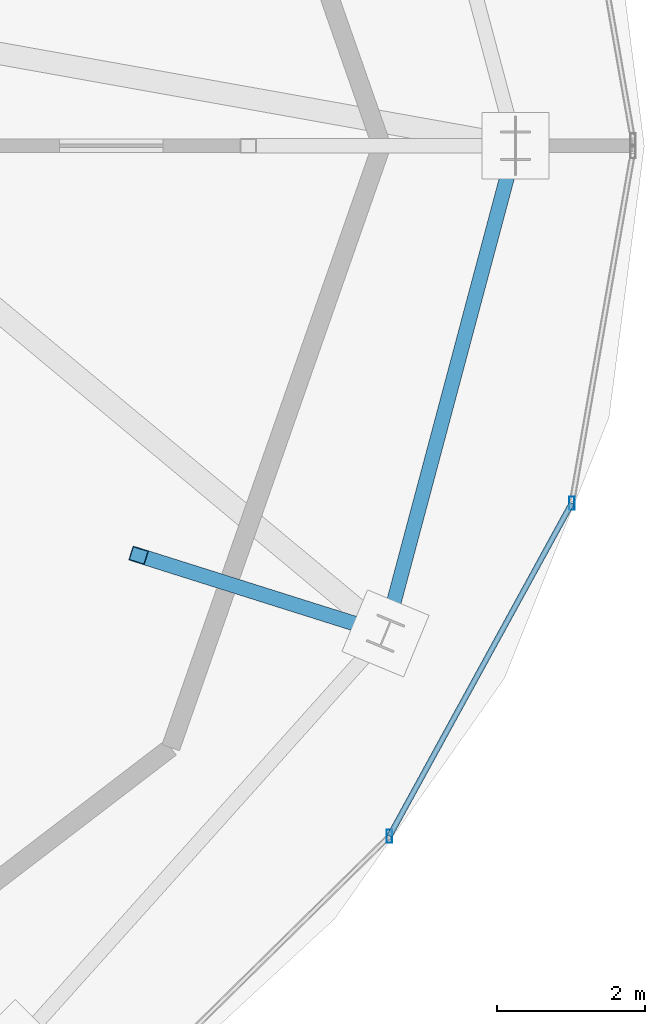
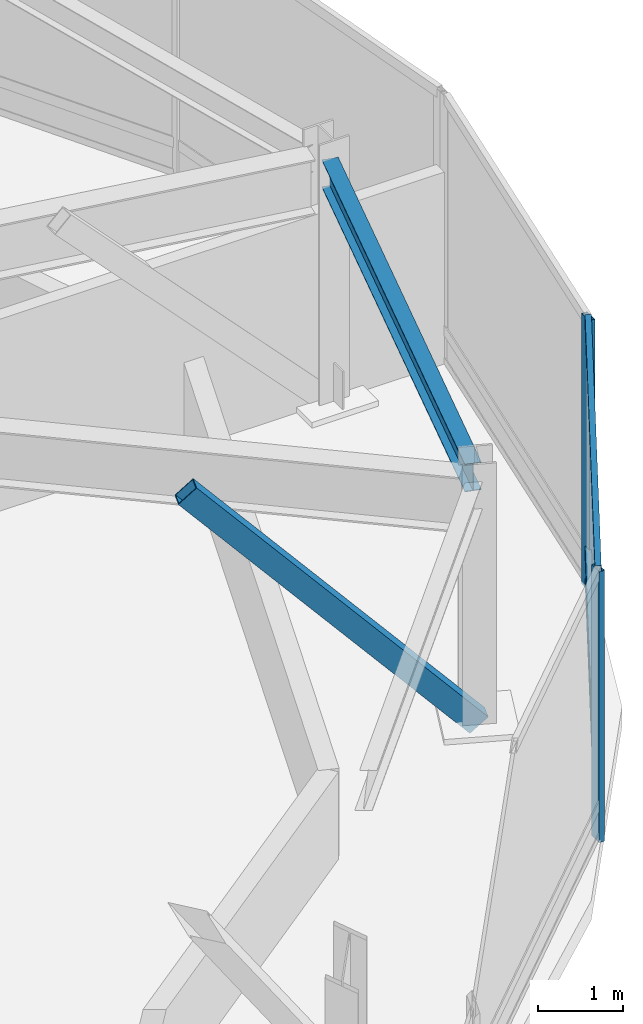
# One storey, part 14 of 28: 6 members, 1 beam, 1 element without a shape of its own.
"""IFC4 building model written with IfcOpenShell, lengths in metres."""

from ifc_helpers import new_model, si_unit, direction, frame, origin, origin_2d, place, context, subcontext, project, spatial, hollow_rectangle, i_section, extrude, material, material_profile, profile_set, type_object, element, aggregate, save


model = new_model("IFC4")

# Units and contexts
model_context = context("Model", 3, precision=1e-05, world=origin(), true_north=direction((0.0, 1.0)))
body_context = subcontext(model_context, "Body", "Model", "MODEL_VIEW")
ifc_project = project(units=[si_unit("LENGTHUNIT", "METRE"), si_unit("AREAUNIT", "SQUARE_METRE"), si_unit("VOLUMEUNIT", "CUBIC_METRE"), si_unit("PLANEANGLEUNIT", "RADIAN"), si_unit("MASSUNIT", "GRAM", prefix="KILO")], contexts=[model_context])

# Site, building, storey
site_placement = place(None, origin())
site = spatial("IfcSite", under=ifc_project, at=site_placement, CompositionType="ELEMENT")
building_placement = place(site_placement, origin())
building = spatial("IfcBuilding", under=site, at=building_placement, Name="Vorneva Point Tower", CompositionType="ELEMENT")
storey_placement = place(building_placement, frame((0.0, 0.0, 295.39990234375)))
storey = spatial("IfcBuildingStorey", under=building, at=storey_placement, Name="C01", CompositionType="ELEMENT", Elevation=295.39990234375)

# Beam
ifc_material_1 = material(Name="Steel S355", Category="steel")
ifc_material_profile_1 = material_profile(ifc_material_1, i_section(OverallWidth=0.198974609375, OverallDepth=0.39599609375, WebThickness=0.007080078125, FlangeThickness=0.010986328125, at=origin_2d()), Name="40B1")
ifc_profile_set_1 = profile_set([ifc_material_profile_1], Name="Steel S355")
beam_type = type_object("IfcBeamType", Name="BM-SPN-40B1", PredefinedType="SPANDREL", material=ifc_profile_set_1)
beam_placement = place(storey_placement, frame((59.343017578125, 19.5966796875, 3.35205078125), z_axis=(0.257558860387, 0.96626261101, 0.0), x_axis=(-0.96626261101, 0.257558860387, 0.0)))
element("IfcBeam", 1, at=beam_placement, inside=storey, type_object=beam_type, Name="C01 Perimeter Spandrel Ring Beam 16", PredefinedType="SPANDREL", context=body_context, shape_type="SweptSolid", body=[
    extrude(i_section(OverallWidth=0.198974609375, OverallDepth=0.39599609375, WebThickness=0.007080078125, FlangeThickness=0.010986328125, at=origin_2d()), origin(), (0.0, 0.0, 1.0), 6.44189453125),
])

# Curtain wall, members
ifc_material_2 = material(Name="Pale anodised aluminium", Category="aluminium")
curtain_wall_type = type_object("IfcCurtainWallType", Name="CW-CRN-SYS", PredefinedType="NOTDEFINED", material=ifc_material_2)
curtain_wall_placement = place(storey_placement, origin())
curtain_wall = element("IfcCurtainWall", 2, at=curtain_wall_placement, inside=storey, type_object=curtain_wall_type, Name="C01 Unitised Curtain Wall CW-C01-Q4", PredefinedType="NOTDEFINED")
ifc_material_profile_2 = material_profile(ifc_material_2, hollow_rectangle(XDim=0.074951171875, YDim=0.179931640625, WallThickness=0.00390625, at=origin_2d()), Name="AL-MUL 180x75x4")
ifc_profile_set_2 = profile_set([ifc_material_profile_2], Name="Pale anodised aluminium")
member_type_1 = type_object("IfcMemberType", Name="CW-MUL-180", PredefinedType="MULLION", material=ifc_profile_set_2)
member_1_placement = place(storey_placement, frame((59.347412109375, 16.679931640625, -0.039794921875), z_axis=(0.0, 0.0, 1.0), x_axis=(1.0, 0.0, 0.0)))
member_1 = element("IfcMember", 3, at=member_1_placement, type_object=member_type_1, Name="CW-C01-Q4 Mullion 05", PredefinedType="MULLION", context=body_context, shape_type="SweptSolid", body=[
    extrude(hollow_rectangle(XDim=0.074951171875, YDim=0.179931640625, WallThickness=0.00390625, at=origin_2d()), origin(), (0.0, 0.0, 1.0), 3.869873046875),
])
member_2_placement = place(storey_placement, frame((61.81005859375, 21.175537109375, -0.039794921875), z_axis=(0.0, 0.0, 1.0), x_axis=(1.0, 0.0, 0.0)))
member_2 = element("IfcMember", 4, at=member_2_placement, type_object=member_type_1, Name="CW-C01-Q4 Mullion 06", PredefinedType="MULLION", context=body_context, shape_type="SweptSolid", body=[
    extrude(hollow_rectangle(XDim=0.074951171875, YDim=0.179931640625, WallThickness=0.00390625, at=origin_2d()), origin(), (0.0, 0.0, 1.0), 3.869873046875),
])
ifc_material_profile_3 = material_profile(ifc_material_2, hollow_rectangle(XDim=0.074951171875, YDim=0.14990234375, WallThickness=0.00390625, at=origin_2d()), Name="AL-TRN 150x75x4")
ifc_profile_set_3 = profile_set([ifc_material_profile_3], Name="Pale anodised aluminium")
member_type_2 = type_object("IfcMemberType", Name="CW-TRN-150", PredefinedType="USERDEFINED", material=ifc_profile_set_3)
member_3_placement = place(storey_placement, frame((59.347412109375, 16.679931640625, 0.02001953125), z_axis=(0.480429774856, 0.877033198592, 0.0), x_axis=(-0.877033198592, 0.480429774856, 0.0)))
member_3 = element("IfcMember", 5, at=member_3_placement, type_object=member_type_2, Name="CW-C01-Q4 Transom 05.1", ObjectType="TRANSOM", PredefinedType="USERDEFINED", context=body_context, shape_type="SweptSolid", body=[
    extrude(hollow_rectangle(XDim=0.074951171875, YDim=0.14990234375, WallThickness=0.00390625, at=origin_2d()), origin(), (0.0, 0.0, 1.0), 5.1259765625),
])
member_4_placement = place(storey_placement, frame((59.347412109375, 16.679931640625, 0.47998046875), z_axis=(0.480429774856, 0.877033198592, 0.0), x_axis=(-0.877033198592, 0.480429774856, 0.0)))
member_4 = element("IfcMember", 6, at=member_4_placement, type_object=member_type_2, Name="CW-C01-Q4 Transom 05.2", ObjectType="TRANSOM", PredefinedType="USERDEFINED", context=body_context, shape_type="SweptSolid", body=[
    extrude(hollow_rectangle(XDim=0.074951171875, YDim=0.14990234375, WallThickness=0.00390625, at=origin_2d()), origin(), (0.0, 0.0, 1.0), 5.1259765625),
])
member_5_placement = place(storey_placement, frame((59.347412109375, 16.679931640625, 3.780029296875), z_axis=(0.480429774856, 0.877033198592, 0.0), x_axis=(-0.877033198592, 0.480429774856, 0.0)))
member_5 = element("IfcMember", 7, at=member_5_placement, type_object=member_type_2, Name="CW-C01-Q4 Transom 05.3", ObjectType="TRANSOM", PredefinedType="USERDEFINED", context=body_context, shape_type="SweptSolid", body=[
    extrude(hollow_rectangle(XDim=0.074951171875, YDim=0.14990234375, WallThickness=0.00390625, at=origin_2d()), origin(), (0.0, 0.0, 1.0), 5.1259765625),
])
aggregate(curtain_wall, [member_1, member_2, member_3, member_4, member_5])

# Member
ifc_material_profile_4 = material_profile(ifc_material_1, hollow_rectangle(XDim=0.199951171875, YDim=0.300048828125, WallThickness=0.011962890625, at=origin_2d()), Name="PP 300x200x12")
ifc_profile_set_4 = profile_set([ifc_material_profile_4], Name="Steel S355")
member_type_3 = type_object("IfcMemberType", Name="MBR-CRN-PP300", PredefinedType="CHORD", material=ifc_profile_set_4)
member_6_placement = place(storey_placement, frame((59.29541015625, 19.417724609375, 0.0), z_axis=(-0.645578203755, 0.203844403163, 0.735986577415), x_axis=(-0.301101283468, -0.953592164971, 0.0)))
element("IfcMember", 8, at=member_6_placement, inside=storey, type_object=member_type_3, Name="Crown Tapered Frame Rib C01-16", PredefinedType="CHORD", context=body_context, shape_type="SweptSolid", body=[
    extrude(hollow_rectangle(XDim=0.199951171875, YDim=0.300048828125, WallThickness=0.011962890625, at=origin_2d()), origin(), (0.0, 0.0, 1.0), 5.1630859375),
])

save(model, "model.ifc")
